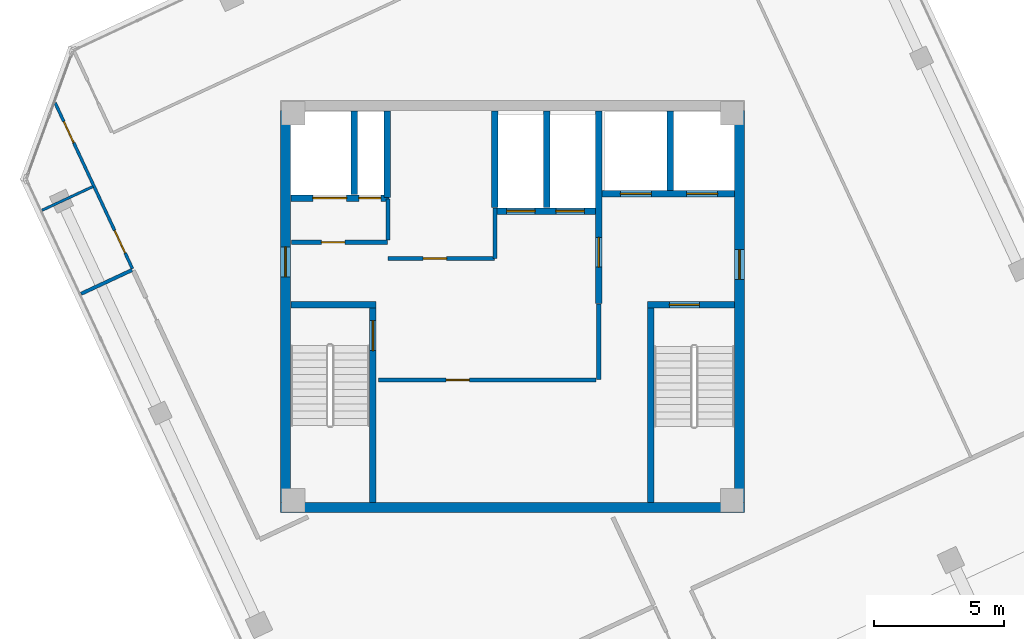
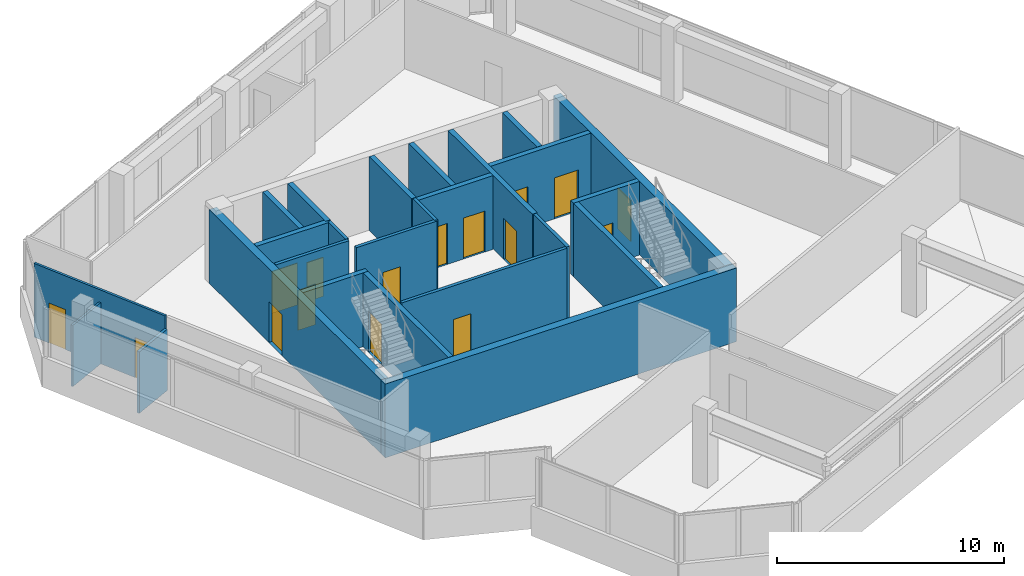
# One storey, part 13 of 17: 25 walls, 16 doors, 16 openings.
"""IFC4 building model written with IfcOpenShell, lengths in metres."""

import ifcopenshell
import ifcopenshell.guid

model = None  # the IFC model being written
_history = None  # IfcOwnerHistory: only IFC2X3 demands one
_inside = {}  # id of a spatial element -> (the spatial element, [elements in it])
_under = {}  # id of a project, library or spatial element -> (it, [spatial elements below it])
_declared = {}  # id of a project -> (the project, [libraries it declares])
_typed = {}  # id of a type object -> (the type object, [elements of that type])
_made_of = {}  # id of a material, layer set ... -> (it, [elements and type objects made of it])


def new_model(schema):
    """Start an empty IFC model of exactly this schema.

    Asked for "IFC4X3", IfcOpenShell would pick the latest addendum, in which some entities
    have other attributes; the version numbers below select the first issue.
    IFC2X3 requires an IfcOwnerHistory on every rooted entity: one is made here for all.
    """
    global model, _history
    if schema == "IFC4X3":
        model = ifcopenshell.file(schema_version=(4, 3, 0, 0))
    else:
        model = ifcopenshell.file(schema=schema)
    _inside.clear()
    _under.clear()
    _declared.clear()
    _typed.clear()
    _made_of.clear()
    _history = None
    if model.schema == "IFC2X3":
        org = make("IfcOrganization", Name="unknown")
        user = make(
            "IfcPersonAndOrganization",
            ThePerson=make("IfcPerson", FamilyName="unknown"),
            TheOrganization=org,
        )
        app = make(
            "IfcApplication",
            ApplicationDeveloper=org,
            Version="unknown",
            ApplicationFullName="unknown",
            ApplicationIdentifier="unknown",
        )
        _history = make(
            "IfcOwnerHistory",
            OwningUser=user,
            OwningApplication=app,
            ChangeAction="ADDED",
            CreationDate=0,
        )
    return model


def make(cls, **values):
    """One entity of the class cls with the attributes given. An attribute that is None is left unset."""
    return model.create_entity(
        cls, **{name: value for name, value in values.items() if value is not None}
    )


def rooted(cls, **values):
    """An entity with a GlobalId (a new one), such as an element, a storey or a relation."""
    return make(cls, GlobalId=ifcopenshell.guid.new(), OwnerHistory=_history, **values)


def si_unit(unit_type, name, prefix=None):
    """IfcSIUnit, for example si_unit("LENGTHUNIT", "METRE", prefix="MILLI")."""
    return make("IfcSIUnit", UnitType=unit_type, Prefix=prefix, Name=name)


def assignment(units):
    """IfcUnitAssignment: the units of a project."""
    return None if units is None else make("IfcUnitAssignment", Units=units)


def point(xyz):
    """IfcCartesianPoint."""
    return None if xyz is None else make("IfcCartesianPoint", Coordinates=xyz)


def direction(xyz):
    """IfcDirection."""
    return None if xyz is None else make("IfcDirection", DirectionRatios=xyz)


def frame(location, z_axis=None, x_axis=None):
    """IfcAxis2Placement3D, a coordinate frame: its origin and axes. An axis left out is left unset."""
    return make(
        "IfcAxis2Placement3D",
        Location=point(location),
        Axis=direction(z_axis),
        RefDirection=direction(x_axis),
    )


def frame_2d(location, x_axis=None):
    """IfcAxis2Placement2D, a coordinate frame in the plane: its origin and x axis."""
    return make(
        "IfcAxis2Placement2D", Location=point(location), RefDirection=direction(x_axis)
    )


def origin():
    """The frame at (0, 0, 0) with its axes left unset."""
    return frame((0.0, 0.0, 0.0))


def place(relative_to, where):
    """IfcLocalPlacement: puts the frame where relative to a parent placement (None: the world)."""
    return make(
        "IfcLocalPlacement", PlacementRelTo=relative_to, RelativePlacement=where
    )


def context(
    kind, dimensions, precision=None, world=None, true_north=None, identifier=None
):
    """IfcGeometricRepresentationContext, for example the 3D "Model" context."""
    return make(
        "IfcGeometricRepresentationContext",
        ContextIdentifier=identifier,
        ContextType=kind,
        CoordinateSpaceDimension=dimensions,
        Precision=precision,
        WorldCoordinateSystem=world,
        TrueNorth=true_north,
    )


def subcontext(parent, identifier, kind, view, scale=None):
    """IfcGeometricRepresentationSubContext, for example "Body" below "Model"."""
    return make(
        "IfcGeometricRepresentationSubContext",
        ContextIdentifier=identifier,
        ContextType=kind,
        ParentContext=parent,
        TargetScale=scale,
        TargetView=view,
    )


def project(units=None, contexts=None):
    """IfcProject with its units and contexts."""
    return rooted(
        "IfcProject",
        Name="project",
        RepresentationContexts=contexts,
        UnitsInContext=assignment(units),
    )


def spatial(cls, under=None, at=None, **own):
    """A site, building, storey or space (cls), placed at a placement, below another one or the project."""
    s = rooted(cls, ObjectPlacement=at, **own)
    if under is not None:
        _under.setdefault(under.id(), (under, []))[1].append(s)
    return s


def profile(cls, at=None, kind="AREA", **sizes):
    """A parametric profile (cls). Its sizes go by their IFC names, for example OverallWidth=200.0."""
    return make(cls, ProfileType=kind, Position=at, **sizes)


def rectangle(**sizes):
    """IfcRectangleProfileDef."""
    return profile("IfcRectangleProfileDef", **sizes)


def extrude(swept, where, along, depth):
    """IfcExtrudedAreaSolid: the profile swept, set in the frame where, extruded along a direction by depth."""
    return make(
        "IfcExtrudedAreaSolid",
        SweptArea=swept,
        Position=where,
        ExtrudedDirection=direction(along),
        Depth=depth,
    )


def shape(context_of_items, identifier, shape_type, items):
    """IfcShapeRepresentation: the items that make up one representation, for example the "Body"."""
    return make(
        "IfcShapeRepresentation",
        ContextOfItems=context_of_items,
        RepresentationIdentifier=identifier,
        RepresentationType=shape_type,
        Items=items,
    )


def source(mapping_origin, context_of_items, identifier, shape_type, items):
    """IfcRepresentationMap: a shape defined once, which mapped items show again and again."""
    return make(
        "IfcRepresentationMap",
        MappingOrigin=mapping_origin,
        MappedRepresentation=shape(context_of_items, identifier, shape_type, items),
    )


def transform(
    local_origin,
    x_axis=None,
    y_axis=None,
    z_axis=None,
    scale=None,
    scale2=None,
    scale3=None,
    uniform=True,
):
    """IfcCartesianTransformationOperator3D, or its non-uniform kind. x_axis, y_axis, z_axis: its Axis1, 2, 3."""
    if uniform:
        return make(
            "IfcCartesianTransformationOperator3D",
            Axis1=direction(x_axis),
            Axis2=direction(y_axis),
            LocalOrigin=point(local_origin),
            Scale=scale,
            Axis3=direction(z_axis),
        )
    return make(
        "IfcCartesianTransformationOperator3DnonUniform",
        Axis1=direction(x_axis),
        Axis2=direction(y_axis),
        LocalOrigin=point(local_origin),
        Scale=scale,
        Axis3=direction(z_axis),
        Scale2=scale2,
        Scale3=scale3,
    )


def mapped(mapping_source, mapping_target):
    """IfcMappedItem: shows the shape of a source again, moved by a transform."""
    return make(
        "IfcMappedItem", MappingSource=mapping_source, MappingTarget=mapping_target
    )


def material(Name=None, Category=None):
    """IfcMaterial."""
    return make("IfcMaterial", Name=Name, Category=Category)


def layer(
    of_material, thickness, ventilated=None, Name=None, Category=None, Priority=None
):
    """IfcMaterialLayer: one layer of a wall or slab, of a material (None: an air gap)."""
    return make(
        "IfcMaterialLayer",
        Material=of_material,
        LayerThickness=thickness,
        IsVentilated=ventilated,
        Name=Name,
        Category=Category,
        Priority=Priority,
    )


def layer_set(layers, Name=None):
    """IfcMaterialLayerSet."""
    return make("IfcMaterialLayerSet", MaterialLayers=layers, LayerSetName=Name)


def made_of(thing, what):
    """Note that an element or type object is made of a material, layer set ...; save() writes the relation."""
    if what is not None:
        _made_of.setdefault(what.id(), (what, []))[1].append(thing)
    return thing


def type_object(cls, material=None, **own):
    """A type object (cls), such as IfcWallType, which elements share."""
    return made_of(rooted(cls, **own), material)


def element(
    cls,
    number,
    at=None,
    inside=None,
    cuts=None,
    type_object=None,
    material=None,
    context=None,
    identifier="Body",
    shape_type=None,
    held_by="IfcProductDefinitionShape",
    body=None,
    shapes=None,
    **own,
):
    """One element of the class cls, such as IfcWall. Its Tag is "e" and its number.

    at: its placement. inside: the storey or other place that contains it. cuts: it is an
    opening in that element (IfcRelVoidsElement). A single representation is given by context,
    identifier, shape_type and body (its items); several are given by shapes. held_by: the class
    of the entity that holds the representations. save() writes the other relations.
    """
    e = rooted(cls, Tag="e%d" % number, ObjectPlacement=at, **own)
    if body is not None:
        shapes = [shape(context, identifier, shape_type, body)]
    if shapes is not None:
        e.Representation = make(held_by, Representations=shapes)
    if inside is not None:
        _inside.setdefault(inside.id(), (inside, []))[1].append(e)
    if cuts is not None:
        rooted(
            "IfcRelVoidsElement", RelatingBuildingElement=cuts, RelatedOpeningElement=e
        )
    if type_object is not None:
        _typed.setdefault(type_object.id(), (type_object, []))[1].append(e)
    return made_of(e, material)


def fill(opening, filler):
    """IfcRelFillsElement: the door or window that sits in an opening."""
    return rooted(
        "IfcRelFillsElement",
        RelatingOpeningElement=opening,
        RelatedBuildingElement=filler,
    )


def aggregate(whole, parts):
    """IfcRelAggregates: a whole, such as a stair, and the parts it consists of."""
    return rooted("IfcRelAggregates", RelatingObject=whole, RelatedObjects=parts)


def save(model, path):
    """Write the relations noted so far, then the file.

    IfcRelAggregates (storeys below a building ...), IfcRelContainedInSpatialStructure (elements
    in a storey), IfcRelDefinesByType, IfcRelAssociatesMaterial and IfcRelDeclares: one each for
    every whole, place, type object, material and project.
    """
    for whole, parts in _under.values():
        aggregate(whole, parts)
    for where, things in _inside.values():
        rooted(
            "IfcRelContainedInSpatialStructure",
            RelatedElements=things,
            RelatingStructure=where,
        )
    for kind, things in _typed.values():
        rooted("IfcRelDefinesByType", RelatedObjects=things, RelatingType=kind)
    for what, things in _made_of.values():
        rooted("IfcRelAssociatesMaterial", RelatedObjects=things, RelatingMaterial=what)
    for by, libraries in _declared.values():
        rooted("IfcRelDeclares", RelatingContext=by, RelatedDefinitions=libraries)
    model.write(path)


model = new_model("IFC4")

# Units and contexts
model_context = context("Model", 3, precision=1e-05, world=origin(), true_north=direction((0.0, 1.0)))
body_context = subcontext(model_context, "Body", "Model", "MODEL_VIEW")
ifc_project = project(units=[si_unit("LENGTHUNIT", "METRE"), si_unit("AREAUNIT", "SQUARE_METRE"), si_unit("VOLUMEUNIT", "CUBIC_METRE"), si_unit("PLANEANGLEUNIT", "RADIAN"), si_unit("MASSUNIT", "GRAM", prefix="KILO")], contexts=[model_context])

# Site, building, storey
site_placement = place(None, origin())
site = spatial("IfcSite", under=ifc_project, at=site_placement, CompositionType="ELEMENT")
building_placement = place(site_placement, origin())
building = spatial("IfcBuilding", under=site, at=building_placement, Name="Torre Montelarca", CompositionType="ELEMENT")
storey_placement = place(building_placement, frame((0.0, 0.0, 340.800048828125)))
storey = spatial("IfcBuildingStorey", under=building, at=storey_placement, Name="L77", CompositionType="ELEMENT", Elevation=340.800048828125)

# Wall, opening, door
ifc_material_1 = material(Name="Concrete C40/50", Category="concrete")
ifc_layer_1 = layer(ifc_material_1, 0.25, Name="Concrete C40/50", Category="concrete")
ifc_layer_set_1 = layer_set([ifc_layer_1], Name="Concrete C40/50")
wall_type_1 = type_object("IfcWallType", Name="CW-SHAFT-250", PredefinedType="SHEAR", material=ifc_layer_set_1)
wall_1_placement = place(storey_placement, frame((12.625, 24.4599609375, 0.0), z_axis=(0.0, 0.0, 1.0), x_axis=(0.0, 1.0, 0.0)))
wall_1 = element("IfcWall", 1, at=wall_1_placement, inside=storey, type_object=wall_type_1, Name="L77 Core Shear Wall SH-ST1-E", PredefinedType="SHEAR", context=body_context, shape_type="SweptSolid", body=[
    extrude(rectangle(XDim=7.489990234375, YDim=0.25, at=frame_2d((3.7451171875, 0.0))), origin(), (0.0, 0.0, 1.0), 3.9599609375),
])
opening_1_placement = place(wall_1_placement, frame((5.85009765625, 0.0, 0.0)))
opening_1 = element("IfcOpeningElement", 2, at=opening_1_placement, cuts=wall_1, Name="Opening FD-ST1", PredefinedType="OPENING", context=body_context, shape_type="SweptSolid", body=[
    extrude(rectangle(XDim=1.14990234375, YDim=2.199951171875, at=frame_2d((0.574951171875, 1.10009765625))), frame((0.0, 0.135009765625, 0.0), z_axis=(0.0, -1.0, 0.0), x_axis=(1.0, 0.0, 0.0)), (0.0, 0.0, 1.0), 0.27001953125),
])
ifc_material_2 = material(Name="Galvanized steel fire door", Category="steel")
door_type_1 = type_object("IfcDoorType", Name="DR-STAIR-115", OperationType="NOTDEFINED", PredefinedType="DOOR", material=ifc_material_2)
shared_shape_1 = source(origin(), body_context, "Body", "SweptSolid", [
    extrude(rectangle(XDim=1.14990234375, YDim=2.199951171875, at=frame_2d((0.574951171875, 1.10009765625))), frame((0.0, 0.02490234375, 0.0), z_axis=(0.0, -1.0, 0.0), x_axis=(1.0, 0.0, 0.0)), (0.0, 0.0, 1.0), 0.050048828125),
])
door_1_placement = place(opening_1_placement, origin())
door_1 = element("IfcDoor", 3, at=door_1_placement, inside=storey, type_object=door_type_1, Name="L77 Exit Stair ST1 Fire Door", OperationType="SINGLE_SWING_RIGHT", OverallHeight=2.199951171875, OverallWidth=1.14990234375, PredefinedType="DOOR", context=body_context, shape_type="MappedRepresentation", body=[
    mapped(shared_shape_1, transform((0.0, 0.0, 0.0), scale=1.0)),
])
fill(opening_1, door_1)

# Walls
wall_2_placement = place(storey_placement, frame((9.4599609375, 32.074951171875, 0.0), z_axis=(0.0, 0.0, 1.0), x_axis=(1.0, 0.0, 0.0)))
element("IfcWall", 4, at=wall_2_placement, inside=storey, type_object=wall_type_1, Name="L77 Core Shear Wall SH-ST1-N", PredefinedType="SHEAR", context=body_context, shape_type="SweptSolid", body=[
    extrude(rectangle(XDim=3.2900390625, YDim=0.25, at=frame_2d((1.64501953125, 0.0))), origin(), (0.0, 0.0, 1.0), 3.9599609375),
])
wall_3_placement = place(storey_placement, frame((23.31494140625, 24.4599609375, 0.0), z_axis=(0.0, 0.0, 1.0), x_axis=(0.0, 1.0, 0.0)))
element("IfcWall", 5, at=wall_3_placement, inside=storey, type_object=wall_type_1, Name="L77 Core Shear Wall SH-ST2-W", PredefinedType="SHEAR", context=body_context, shape_type="SweptSolid", body=[
    extrude(rectangle(XDim=7.489990234375, YDim=0.25, at=frame_2d((3.7451171875, 0.0))), origin(), (0.0, 0.0, 1.0), 3.9599609375),
])

# Wall, opening, door
wall_4_placement = place(storey_placement, frame((23.18994140625, 32.074951171875, 0.0), z_axis=(0.0, 0.0, 1.0), x_axis=(1.0, 0.0, 0.0)))
wall_4 = element("IfcWall", 6, at=wall_4_placement, inside=storey, type_object=wall_type_1, Name="L77 Core Shear Wall SH-ST2-N", PredefinedType="SHEAR", context=body_context, shape_type="SweptSolid", body=[
    extrude(rectangle(XDim=3.35009765625, YDim=0.25, at=frame_2d((1.675048828125, 0.0))), origin(), (0.0, 0.0, 1.0), 3.9599609375),
])
opening_2_placement = place(wall_4_placement, frame((0.85009765625, 0.0, 0.0)))
opening_2 = element("IfcOpeningElement", 7, at=opening_2_placement, cuts=wall_4, Name="Opening FD-ST1", PredefinedType="OPENING", context=body_context, shape_type="SweptSolid", body=[
    extrude(rectangle(XDim=1.14990234375, YDim=2.199951171875, at=frame_2d((0.574951171875, 1.10009765625))), frame((0.0, 0.135009765625, 0.0), z_axis=(0.0, -1.0, 0.0), x_axis=(1.0, 0.0, 0.0)), (0.0, 0.0, 1.0), 0.27001953125),
])
door_2_placement = place(opening_2_placement, origin())
door_2 = element("IfcDoor", 8, at=door_2_placement, inside=storey, type_object=door_type_1, Name="L77 Exit Stair ST2 Fire Door", OperationType="SINGLE_SWING_RIGHT", OverallHeight=2.199951171875, OverallWidth=1.14990234375, PredefinedType="DOOR", context=body_context, shape_type="MappedRepresentation", body=[
    mapped(shared_shape_1, transform((0.0, 0.0, 0.0), scale=1.0)),
])
fill(opening_2, door_2)

wall_5_placement = place(storey_placement, frame((21.320068359375, 32.1201171875, 0.0), z_axis=(0.0, 0.0, 1.0), x_axis=(0.0, 1.0, 0.0)))
wall_5 = element("IfcWall", 9, at=wall_5_placement, inside=storey, type_object=wall_type_1, Name="L77 Core Shear Wall SH-FFL-W", PredefinedType="SHEAR", context=body_context, shape_type="SweptSolid", body=[
    extrude(rectangle(XDim=7.419921875, YDim=0.25, at=frame_2d((3.7099609375, 0.0))), origin(), (0.0, 0.0, 1.0), 3.9599609375),
])
opening_3_placement = place(wall_5_placement, frame((1.39990234375, 0.0, 0.0)))
opening_3 = element("IfcOpeningElement", 10, at=opening_3_placement, cuts=wall_5, Name="Opening FD-LB1", PredefinedType="OPENING", context=body_context, shape_type="SweptSolid", body=[
    extrude(rectangle(XDim=1.14990234375, YDim=2.199951171875, at=frame_2d((0.574951171875, 1.10009765625))), frame((0.0, 0.135009765625, 0.0), z_axis=(0.0, -1.0, 0.0), x_axis=(1.0, 0.0, 0.0)), (0.0, 0.0, 1.0), 0.27001953125),
])
ifc_material_3 = material(Name="Acoustic timber-veneered fire door", Category="wood")
door_type_2 = type_object("IfcDoorType", Name="DR-LOBBY-115", OperationType="NOTDEFINED", PredefinedType="DOOR", material=ifc_material_3)
shared_shape_2 = source(origin(), body_context, "Body", "SweptSolid", [
    extrude(rectangle(XDim=1.14990234375, YDim=2.199951171875, at=frame_2d((0.574951171875, 1.10009765625))), frame((0.0, 0.02490234375, 0.0), z_axis=(0.0, -1.0, 0.0), x_axis=(1.0, 0.0, 0.0)), (0.0, 0.0, 1.0), 0.050048828125),
])
door_3_placement = place(opening_3_placement, origin())
door_3 = element("IfcDoor", 11, at=door_3_placement, inside=storey, type_object=door_type_2, Name="L77 Lift Lobby to Firefighting Lobby Smoke Door", OperationType="SINGLE_SWING_LEFT", OverallHeight=2.199951171875, OverallWidth=1.14990234375, PredefinedType="DOOR", context=body_context, shape_type="MappedRepresentation", body=[
    mapped(shared_shape_2, transform((0.0, 0.0, 0.0), scale=1.0)),
])
fill(opening_3, door_3)

# Wall, openings, doors
wall_6_placement = place(storey_placement, frame((9.4599609375, 36.179931640625, 0.0), z_axis=(0.0, 0.0, 1.0), x_axis=(1.0, 0.0, 0.0)))
wall_6 = element("IfcWall", 12, at=wall_6_placement, inside=storey, type_object=wall_type_1, Name="L77 Core Shear Wall SH-SV1-S", PredefinedType="SHEAR", context=body_context, shape_type="SweptSolid", body=[
    extrude(rectangle(XDim=3.7900390625, YDim=0.25, at=frame_2d((1.89501953125, 0.0))), origin(), (0.0, 0.0, 1.0), 3.9599609375),
])
opening_4_placement = place(wall_6_placement, frame((2.6201171875, 0.0, 0.0)))
opening_4 = element("IfcOpeningElement", 13, at=opening_4_placement, cuts=wall_6, Name="Opening FD-085", PredefinedType="OPENING", context=body_context, shape_type="SweptSolid", body=[
    extrude(rectangle(XDim=0.85009765625, YDim=2.10009765625, at=frame_2d((0.425048828125, 1.050048828125))), frame((0.0, 0.135009765625, 0.0), z_axis=(0.0, -1.0, 0.0), x_axis=(1.0, 0.0, 0.0)), (0.0, 0.0, 1.0), 0.27001953125),
])
opening_5_placement = place(wall_6_placement, frame((0.85009765625, 0.0, 0.0)))
opening_5 = element("IfcOpeningElement", 14, at=opening_5_placement, cuts=wall_6, Name="Opening LD-130", PredefinedType="OPENING", context=body_context, shape_type="SweptSolid", body=[
    extrude(rectangle(XDim=1.300048828125, YDim=2.25, at=frame_2d((0.64990234375, 1.125))), frame((0.0, 0.135009765625, 0.0), z_axis=(0.0, -1.0, 0.0), x_axis=(1.0, 0.0, 0.0)), (0.0, 0.0, 1.0), 0.27001953125),
])
ifc_material_4 = material(Name="Steel riser access fire door", Category="steel")
door_type_3 = type_object("IfcDoorType", Name="DR-RISER-085", OperationType="NOTDEFINED", PredefinedType="DOOR", material=ifc_material_4)
shared_shape_3 = source(origin(), body_context, "Body", "SweptSolid", [
    extrude(rectangle(XDim=0.85009765625, YDim=2.10009765625, at=frame_2d((0.425048828125, 1.050048828125))), frame((0.0, 0.02490234375, 0.0), z_axis=(0.0, -1.0, 0.0), x_axis=(1.0, 0.0, 0.0)), (0.0, 0.0, 1.0), 0.050048828125),
])
door_4_placement = place(opening_4_placement, origin())
door_4 = element("IfcDoor", 15, at=door_4_placement, inside=storey, type_object=door_type_3, Name="L77 Electrical Riser Shaft Access Door", OperationType="SINGLE_SWING_RIGHT", OverallHeight=2.10009765625, OverallWidth=0.85009765625, PredefinedType="DOOR", context=body_context, shape_type="MappedRepresentation", body=[
    mapped(shared_shape_3, transform((0.0, 0.0, 0.0), scale=1.0)),
])
fill(opening_4, door_4)
ifc_material_5 = material(Name="Brushed stainless steel AISI 316", Category="steel")
door_type_4 = type_object("IfcDoorType", Name="DR-LIFT-130", OperationType="SLIDING_TO_LEFT", PredefinedType="DOOR", material=ifc_material_5)
shared_shape_4 = source(origin(), body_context, "Body", "SweptSolid", [
    extrude(rectangle(XDim=1.300048828125, YDim=2.25, at=frame_2d((0.64990234375, 1.125))), frame((0.0, 0.02490234375, 0.0), z_axis=(0.0, -1.0, 0.0), x_axis=(1.0, 0.0, 0.0)), (0.0, 0.0, 1.0), 0.050048828125),
])
door_5_placement = place(opening_5_placement, origin())
door_5 = element("IfcDoor", 16, at=door_5_placement, inside=storey, type_object=door_type_4, Name="L77 Lift Landing Sliding Door SV-1", OperationType="SLIDING_TO_LEFT", OverallHeight=2.25, OverallWidth=1.300048828125, PredefinedType="DOOR", context=body_context, shape_type="MappedRepresentation", body=[
    mapped(shared_shape_4, transform((0.0, 0.0, 0.0), scale=1.0)),
])
fill(opening_5, door_5)

# Wall
wall_7_placement = place(storey_placement, frame((11.89990234375, 36.31005859375, 0.0), z_axis=(0.0, 0.0, 1.0), x_axis=(0.0, 1.0, 0.0)))
element("IfcWall", 17, at=wall_7_placement, inside=storey, type_object=wall_type_1, Name="L77 Core Shear Wall SH-SV1-E", PredefinedType="SHEAR", context=body_context, shape_type="SweptSolid", body=[
    extrude(rectangle(XDim=3.22998046875, YDim=0.25, at=frame_2d((1.614990234375, 0.0))), origin(), (0.0, 0.0, 1.0), 3.9599609375),
])

# Wall, openings, doors
wall_8_placement = place(storey_placement, frame((21.449951171875, 36.35009765625, 0.0), z_axis=(0.0, 0.0, 1.0), x_axis=(1.0, 0.0, 0.0)))
wall_8 = element("IfcWall", 18, at=wall_8_placement, inside=storey, type_object=wall_type_1, Name="L77 Core Shear Wall SH-FF-S", PredefinedType="SHEAR", context=body_context, shape_type="SweptSolid", body=[
    extrude(rectangle(XDim=5.090087890625, YDim=0.25, at=frame_2d((2.544921875, 0.0))), origin(), (0.0, 0.0, 1.0), 3.9599609375),
])
opening_6_placement = place(wall_8_placement, frame((0.699951171875, 0.0, 0.0)))
opening_6 = element("IfcOpeningElement", 19, at=opening_6_placement, cuts=wall_8, Name="Opening LD-120", PredefinedType="OPENING", context=body_context, shape_type="SweptSolid", body=[
    extrude(rectangle(XDim=1.199951171875, YDim=2.199951171875, at=frame_2d((0.60009765625, 1.10009765625))), frame((0.0, 0.135009765625, 0.0), z_axis=(0.0, -1.0, 0.0), x_axis=(1.0, 0.0, 0.0)), (0.0, 0.0, 1.0), 0.27001953125),
])
opening_7_placement = place(wall_8_placement, frame((3.25, 0.0, 0.0)))
opening_7 = element("IfcOpeningElement", 20, at=opening_7_placement, cuts=wall_8, Name="Opening LD-120", PredefinedType="OPENING", context=body_context, shape_type="SweptSolid", body=[
    extrude(rectangle(XDim=1.199951171875, YDim=2.199951171875, at=frame_2d((0.60009765625, 1.10009765625))), frame((0.0, 0.135009765625, 0.0), z_axis=(0.0, -1.0, 0.0), x_axis=(1.0, 0.0, 0.0)), (0.0, 0.0, 1.0), 0.27001953125),
])
door_type_5 = type_object("IfcDoorType", Name="DR-LIFT-120", OperationType="SLIDING_TO_RIGHT", PredefinedType="DOOR", material=ifc_material_5)
shared_shape_5 = source(origin(), body_context, "Body", "SweptSolid", [
    extrude(rectangle(XDim=1.199951171875, YDim=2.199951171875, at=frame_2d((0.60009765625, 1.10009765625))), frame((0.0, 0.02490234375, 0.0), z_axis=(0.0, -1.0, 0.0), x_axis=(1.0, 0.0, 0.0)), (0.0, 0.0, 1.0), 0.050048828125),
])
door_6_placement = place(opening_6_placement, origin())
door_6 = element("IfcDoor", 21, at=door_6_placement, inside=storey, type_object=door_type_5, Name="L77 Lift Landing Sliding Door FF-1", OperationType="SLIDING_TO_LEFT", OverallHeight=2.199951171875, OverallWidth=1.199951171875, PredefinedType="DOOR", context=body_context, shape_type="MappedRepresentation", body=[
    mapped(shared_shape_5, transform((0.0, 0.0, 0.0), scale=1.0)),
])
fill(opening_6, door_6)
door_7_placement = place(opening_7_placement, origin())
door_7 = element("IfcDoor", 22, at=door_7_placement, inside=storey, type_object=door_type_5, Name="L77 Lift Landing Sliding Door FF-2", OperationType="SLIDING_TO_RIGHT", OverallHeight=2.199951171875, OverallWidth=1.199951171875, PredefinedType="DOOR", context=body_context, shape_type="MappedRepresentation", body=[
    mapped(shared_shape_5, transform((0.0, 0.0, 0.0), scale=1.0)),
])
fill(opening_7, door_7)

# Walls
wall_9_placement = place(storey_placement, frame((24.080078125, 36.47998046875, 0.0), z_axis=(0.0, 0.0, 1.0), x_axis=(0.0, 1.0, 0.0)))
element("IfcWall", 23, at=wall_9_placement, inside=storey, type_object=wall_type_1, Name="L77 Core Shear Wall SH-FF-M", PredefinedType="SHEAR", context=body_context, shape_type="SweptSolid", body=[
    extrude(rectangle(XDim=3.06005859375, YDim=0.25, at=frame_2d((1.530029296875, 0.0))), origin(), (0.0, 0.0, 1.0), 3.9599609375),
])
wall_10_placement = place(storey_placement, frame((13.179931640625, 36.199951171875, 0.0), z_axis=(0.0, 0.0, 1.0), x_axis=(0.0, 1.0, 0.0)))
element("IfcWall", 24, at=wall_10_placement, inside=storey, type_object=wall_type_1, Name="L77 Core Shear Wall SH-RSR1-E", PredefinedType="SHEAR", context=body_context, shape_type="SweptSolid", body=[
    extrude(rectangle(XDim=3.340087890625, YDim=0.25, at=frame_2d((1.669921875, 0.0))), origin(), (0.0, 0.0, 1.0), 3.9599609375),
])

# Wall, openings, doors
wall_11_placement = place(storey_placement, frame((17.320068359375, 35.679931640625, 0.0), z_axis=(0.0, 0.0, 1.0), x_axis=(1.0, 0.0, 0.0)))
wall_11 = element("IfcWall", 25, at=wall_11_placement, inside=storey, type_object=wall_type_1, Name="L77 Core Shear Wall SH-PLH-S", PredefinedType="SHEAR", context=body_context, shape_type="SweptSolid", body=[
    extrude(rectangle(XDim=3.869873046875, YDim=0.25, at=frame_2d((1.93505859375, 0.0))), origin(), (0.0, 0.0, 1.0), 3.9599609375),
])
opening_8_placement = place(wall_11_placement, frame((0.449951171875, 0.0, 0.0)))
opening_8 = element("IfcOpeningElement", 26, at=opening_8_placement, cuts=wall_11, Name="Opening LD-110", PredefinedType="OPENING", context=body_context, shape_type="SweptSolid", body=[
    extrude(rectangle(XDim=1.10009765625, YDim=2.199951171875, at=frame_2d((0.550048828125, 1.10009765625))), frame((0.0, 0.135009765625, 0.0), z_axis=(0.0, -1.0, 0.0), x_axis=(1.0, 0.0, 0.0)), (0.0, 0.0, 1.0), 0.27001953125),
])
opening_9_placement = place(wall_11_placement, frame((2.35009765625, 0.0, 0.0)))
opening_9 = element("IfcOpeningElement", 27, at=opening_9_placement, cuts=wall_11, Name="Opening LD-110", PredefinedType="OPENING", context=body_context, shape_type="SweptSolid", body=[
    extrude(rectangle(XDim=1.10009765625, YDim=2.199951171875, at=frame_2d((0.550048828125, 1.10009765625))), frame((0.0, 0.135009765625, 0.0), z_axis=(0.0, -1.0, 0.0), x_axis=(1.0, 0.0, 0.0)), (0.0, 0.0, 1.0), 0.27001953125),
])
door_type_6 = type_object("IfcDoorType", Name="DR-LIFT-110", OperationType="SLIDING_TO_LEFT", PredefinedType="DOOR", material=ifc_material_5)
shared_shape_6 = source(origin(), body_context, "Body", "SweptSolid", [
    extrude(rectangle(XDim=1.10009765625, YDim=2.199951171875, at=frame_2d((0.550048828125, 1.10009765625))), frame((0.0, 0.02490234375, 0.0), z_axis=(0.0, -1.0, 0.0), x_axis=(1.0, 0.0, 0.0)), (0.0, 0.0, 1.0), 0.050048828125),
])
door_8_placement = place(opening_8_placement, origin())
door_8 = element("IfcDoor", 28, at=door_8_placement, inside=storey, type_object=door_type_6, Name="L77 Lift Landing Sliding Door PL-H1", OperationType="SLIDING_TO_LEFT", OverallHeight=2.199951171875, OverallWidth=1.10009765625, PredefinedType="DOOR", context=body_context, shape_type="MappedRepresentation", body=[
    mapped(shared_shape_6, transform((0.0, 0.0, 0.0), scale=1.0)),
])
fill(opening_8, door_8)
door_9_placement = place(opening_9_placement, origin())
door_9 = element("IfcDoor", 29, at=door_9_placement, inside=storey, type_object=door_type_6, Name="L77 Lift Landing Sliding Door PL-H2", OperationType="SLIDING_TO_RIGHT", OverallHeight=2.199951171875, OverallWidth=1.10009765625, PredefinedType="DOOR", context=body_context, shape_type="MappedRepresentation", body=[
    mapped(shared_shape_6, transform((0.0, 0.0, 0.0), scale=1.0)),
])
fill(opening_9, door_9)

# Walls
for number, where, z_axis, x_axis, name in (
    (30, (17.320068359375, 35.81005859375, 0.0), (0.0, 0.0, 1.0), (0.0, 1.0, 0.0), "L77 Core Shear Wall SH-PLH-W"),
    (31, (19.320068359375, 35.81005859375, 0.0), (0.0, 0.0, 1.0), (0.0, 1.0, 0.0), "L77 Core Shear Wall SH-PLH-M"),
):
    element("IfcWall", number, at=place(storey_placement, frame(where, z_axis=z_axis, x_axis=x_axis)), inside=storey, type_object=wall_type_1, Name=name, PredefinedType="SHEAR", context=body_context, shape_type="SweptSolid", body=[
        extrude(rectangle(XDim=3.72998046875, YDim=0.25, at=frame_2d((1.864990234375, 0.0))), origin(), (0.0, 0.0, 1.0), 3.9599609375),
    ])

# Wall, opening, door
ifc_layer_2 = layer(ifc_material_1, 0.3798828125, Name="Concrete C40/50", Category="concrete")
ifc_layer_set_2 = layer_set([ifc_layer_2], Name="Concrete C40/50")
wall_type_2 = type_object("IfcWallType", Name="CW-SHEAR-380", PredefinedType="SHEAR", material=ifc_layer_set_2)
wall_12_placement = place(storey_placement, frame((9.260009765625, 24.449951171875, 0.0), z_axis=(0.0, 0.0, 1.0), x_axis=(0.0, 1.0, 0.0)))
wall_12 = element("IfcWall", 32, at=wall_12_placement, inside=storey, type_object=wall_type_2, Name="L77 Core Shear Wall CW-W", PredefinedType="SHEAR", context=body_context, shape_type="SweptSolid", body=[
    extrude(rectangle(XDim=15.10009765625, YDim=0.3798828125, at=frame_2d((7.550048828125, 0.0))), origin(), (0.0, 0.0, 1.0), 3.9599609375),
])
opening_10_placement = place(wall_12_placement, frame((8.699951171875, 0.0, 0.0)))
opening_10 = element("IfcOpeningElement", 33, at=opening_10_placement, cuts=wall_12, Name="Opening FD-LB1", PredefinedType="OPENING", context=body_context, shape_type="SweptSolid", body=[
    extrude(rectangle(XDim=1.14990234375, YDim=2.199951171875, at=frame_2d((0.574951171875, 1.10009765625))), frame((0.0, 0.199951171875, 0.0), z_axis=(0.0, -1.0, 0.0), x_axis=(1.0, 0.0, 0.0)), (0.0, 0.0, 1.0), 0.39990234375),
])
door_10_placement = place(opening_10_placement, origin())
door_10 = element("IfcDoor", 34, at=door_10_placement, inside=storey, type_object=door_type_2, Name="L77 Passenger Lift Lobby West Corridor Fire Door", OperationType="SINGLE_SWING_RIGHT", OverallHeight=2.199951171875, OverallWidth=1.14990234375, PredefinedType="DOOR", context=body_context, shape_type="MappedRepresentation", body=[
    mapped(shared_shape_2, transform((0.0, 0.0, 0.0), scale=1.0)),
])
fill(opening_10, door_10)

wall_13_placement = place(storey_placement, frame((26.739990234375, 24.449951171875, 0.0), z_axis=(0.0, 0.0, 1.0), x_axis=(0.0, 1.0, 0.0)))
wall_13 = element("IfcWall", 35, at=wall_13_placement, inside=storey, type_object=wall_type_2, Name="L77 Core Shear Wall CW-E", PredefinedType="SHEAR", context=body_context, shape_type="SweptSolid", body=[
    extrude(rectangle(XDim=15.10009765625, YDim=0.3798828125, at=frame_2d((7.550048828125, 0.0))), origin(), (0.0, 0.0, 1.0), 3.9599609375),
])
opening_11_placement = place(wall_13_placement, frame((8.60009765625, 0.0, 0.0)))
opening_11 = element("IfcOpeningElement", 36, at=opening_11_placement, cuts=wall_13, Name="Opening FD-LB1", PredefinedType="OPENING", context=body_context, shape_type="SweptSolid", body=[
    extrude(rectangle(XDim=1.14990234375, YDim=2.199951171875, at=frame_2d((0.574951171875, 1.10009765625))), frame((0.0, 0.199951171875, 0.0), z_axis=(0.0, -1.0, 0.0), x_axis=(1.0, 0.0, 0.0)), (0.0, 0.0, 1.0), 0.39990234375),
])
door_11_placement = place(opening_11_placement, origin())
door_11 = element("IfcDoor", 37, at=door_11_placement, inside=storey, type_object=door_type_2, Name="L77 Firefighting Lift Lobby Corridor Fire Door", OperationType="SINGLE_SWING_RIGHT", OverallHeight=2.199951171875, OverallWidth=1.14990234375, PredefinedType="DOOR", context=body_context, shape_type="MappedRepresentation", body=[
    mapped(shared_shape_2, transform((0.0, 0.0, 0.0), scale=1.0)),
])
fill(opening_11, door_11)

# Wall
wall_14_placement = place(storey_placement, frame((9.070068359375, 24.260009765625, 0.0), z_axis=(0.0, 0.0, 1.0), x_axis=(1.0, 0.0, 0.0)))
element("IfcWall", 38, at=wall_14_placement, inside=storey, type_object=wall_type_2, Name="L77 Core Shear Wall CW-S1", PredefinedType="SHEAR", context=body_context, shape_type="SweptSolid", body=[
    extrude(rectangle(XDim=17.85986328125, YDim=0.3798828125, at=frame_2d((8.929931640625, 0.0))), origin(), (0.0, 0.0, 1.0), 3.9599609375),
])

# Wall, opening, door
ifc_material_6 = material(Name="Gypsum plasterboard on steel stud", Category="steel")
ifc_layer_3 = layer(ifc_material_6, 0.159912109375, Name="Gypsum plasterboard on steel stud", Category="steel")
ifc_layer_set_3 = layer_set([ifc_layer_3], Name="Gypsum plasterboard on steel stud")
wall_type_3 = type_object("IfcWallType", Name="PW-FIRE-160", PredefinedType="PARTITIONING", material=ifc_layer_set_3)
wall_15_placement = place(storey_placement, frame((9.489990234375, 34.47998046875, 0.0), z_axis=(0.0, 0.0, 1.0), x_axis=(1.0, 0.0, 0.0)))
wall_15 = element("IfcWall", 39, at=wall_15_placement, inside=storey, type_object=wall_type_3, Name="L77 Interior Partition CW-L77-SVS", PredefinedType="PARTITIONING", context=body_context, shape_type="SweptSolid", body=[
    extrude(rectangle(XDim=3.699951171875, YDim=0.159912109375, at=frame_2d((1.85009765625, 0.0))), origin(), (0.0, 0.0, 1.0), 3.9599609375),
])
opening_12_placement = place(wall_15_placement, frame((1.14990234375, 0.0, 0.0)))
opening_12 = element("IfcOpeningElement", 40, at=opening_12_placement, cuts=wall_15, Name="Opening FD-090", PredefinedType="OPENING", context=body_context, shape_type="SweptSolid", body=[
    extrude(rectangle(XDim=0.89990234375, YDim=2.14990234375, at=frame_2d((0.449951171875, 1.074951171875))), frame((0.0, 0.08984375, 0.0), z_axis=(0.0, -1.0, 0.0), x_axis=(1.0, 0.0, 0.0)), (0.0, 0.0, 1.0), 0.179931640625),
])
ifc_material_7 = material(Name="Steel service fire door", Category="steel")
door_type_7 = type_object("IfcDoorType", Name="DR-FIRE-090", OperationType="NOTDEFINED", PredefinedType="DOOR", material=ifc_material_7)
shared_shape_7 = source(origin(), body_context, "Body", "SweptSolid", [
    extrude(rectangle(XDim=0.89990234375, YDim=2.14990234375, at=frame_2d((0.449951171875, 1.074951171875))), frame((0.0, 0.02490234375, 0.0), z_axis=(0.0, -1.0, 0.0), x_axis=(1.0, 0.0, 0.0)), (0.0, 0.0, 1.0), 0.050048828125),
])
door_12_placement = place(opening_12_placement, origin())
door_12 = element("IfcDoor", 41, at=door_12_placement, inside=storey, type_object=door_type_7, Name="L77 Interior Door 01", OperationType="SINGLE_SWING_RIGHT", OverallHeight=2.14990234375, OverallWidth=0.89990234375, PredefinedType="DOOR", context=body_context, shape_type="MappedRepresentation", body=[
    mapped(shared_shape_7, transform((0.0, 0.0, 0.0), scale=1.0)),
])
fill(opening_12, door_12)

# Wall
wall_16_placement = place(storey_placement, frame((13.199951171875, 34.570068359375, 0.0), z_axis=(0.0, 0.0, 1.0), x_axis=(0.0, 1.0, 0.0)))
element("IfcWall", 42, at=wall_16_placement, inside=storey, type_object=wall_type_3, Name="L77 Interior Partition CW-L77-SVE", PredefinedType="PARTITIONING", context=body_context, shape_type="SweptSolid", body=[
    extrude(rectangle(XDim=1.56982421875, YDim=0.159912109375, at=frame_2d((0.784912109375, 0.0))), origin(), (0.0, 0.0, 1.0), 3.9599609375),
])

# Wall, opening, door
wall_17_placement = place(storey_placement, frame((13.2099609375, 33.85009765625, 0.0), z_axis=(0.0, 0.0, 1.0), x_axis=(1.0, 0.0, 0.0)))
wall_17 = element("IfcWall", 43, at=wall_17_placement, inside=storey, type_object=wall_type_3, Name="L77 Interior Partition CW-L77-FRMS", PredefinedType="PARTITIONING", context=body_context, shape_type="SweptSolid", body=[
    extrude(rectangle(XDim=4.10009765625, YDim=0.159912109375, at=frame_2d((2.050048828125, 0.0))), origin(), (0.0, 0.0, 1.0), 3.9599609375),
])
opening_13_placement = place(wall_17_placement, frame((1.35009765625, 0.0, 0.0)))
opening_13 = element("IfcOpeningElement", 44, at=opening_13_placement, cuts=wall_17, Name="Opening FD-090", PredefinedType="OPENING", context=body_context, shape_type="SweptSolid", body=[
    extrude(rectangle(XDim=0.89990234375, YDim=2.14990234375, at=frame_2d((0.449951171875, 1.074951171875))), frame((0.0, 0.08984375, 0.0), z_axis=(0.0, -1.0, 0.0), x_axis=(1.0, 0.0, 0.0)), (0.0, 0.0, 1.0), 0.179931640625),
])
door_13_placement = place(opening_13_placement, origin())
door_13 = element("IfcDoor", 45, at=door_13_placement, inside=storey, type_object=door_type_7, Name="L77 Interior Door 02", OperationType="SINGLE_SWING_LEFT", OverallHeight=2.14990234375, OverallWidth=0.89990234375, PredefinedType="DOOR", context=body_context, shape_type="MappedRepresentation", body=[
    mapped(shared_shape_7, transform((0.0, 0.0, 0.0), scale=1.0)),
])
fill(opening_13, door_13)

# Wall
wall_18_placement = place(storey_placement, frame((17.320068359375, 33.860107421875, 0.0), z_axis=(0.0, 0.0, 1.0), x_axis=(0.0, 1.0, 0.0)))
element("IfcWall", 46, at=wall_18_placement, inside=storey, type_object=wall_type_3, Name="L77 Interior Partition CW-L77-FRME", PredefinedType="PARTITIONING", context=body_context, shape_type="SweptSolid", body=[
    extrude(rectangle(XDim=1.929931640625, YDim=0.159912109375, at=frame_2d((0.96484375, 0.0))), origin(), (0.0, 0.0, 1.0), 3.9599609375),
])

# Wall, opening, door
wall_19_placement = place(storey_placement, frame((12.840087890625, 29.179931640625, 0.0), z_axis=(0.0, 0.0, 1.0), x_axis=(1.0, 0.0, 0.0)))
wall_19 = element("IfcWall", 47, at=wall_19_placement, inside=storey, type_object=wall_type_3, Name="L77 Interior Partition CW-L77-FRDN", PredefinedType="PARTITIONING", context=body_context, shape_type="SweptSolid", body=[
    extrude(rectangle(XDim=8.369873046875, YDim=0.159912109375, at=frame_2d((4.18505859375, 0.0))), origin(), (0.0, 0.0, 1.0), 3.9599609375),
])
opening_14_placement = place(wall_19_placement, frame((2.60009765625, 0.0, 0.0)))
opening_14 = element("IfcOpeningElement", 48, at=opening_14_placement, cuts=wall_19, Name="Opening FD-090", PredefinedType="OPENING", context=body_context, shape_type="SweptSolid", body=[
    extrude(rectangle(XDim=0.89990234375, YDim=2.14990234375, at=frame_2d((0.449951171875, 1.074951171875))), frame((0.0, 0.08984375, 0.0), z_axis=(0.0, -1.0, 0.0), x_axis=(1.0, 0.0, 0.0)), (0.0, 0.0, 1.0), 0.179931640625),
])
door_14_placement = place(opening_14_placement, origin())
door_14 = element("IfcDoor", 49, at=door_14_placement, inside=storey, type_object=door_type_7, Name="L77 Interior Door 03", OperationType="SINGLE_SWING_LEFT", OverallHeight=2.14990234375, OverallWidth=0.89990234375, PredefinedType="DOOR", context=body_context, shape_type="MappedRepresentation", body=[
    mapped(shared_shape_7, transform((0.0, 0.0, 0.0), scale=1.0)),
])
fill(opening_14, door_14)

# Walls
wall_20_placement = place(storey_placement, frame((21.320068359375, 29.18994140625, 0.0), z_axis=(0.0, 0.0, 1.0), x_axis=(0.0, 1.0, 0.0)))
element("IfcWall", 50, at=wall_20_placement, inside=storey, type_object=wall_type_3, Name="L77 Interior Partition CW-L77-FRE", PredefinedType="PARTITIONING", context=body_context, shape_type="SweptSolid", body=[
    extrude(rectangle(XDim=2.920166015625, YDim=0.159912109375, at=frame_2d((1.4599609375, 0.0))), origin(), (0.0, 0.0, 1.0), 3.9599609375),
])
ifc_material_8 = material(Name="Acoustic laminated glass partition", Category="glass")
ifc_layer_4 = layer(ifc_material_8, 0.10009765625, Name="Acoustic laminated glass partition", Category="glass")
ifc_layer_set_4 = layer_set([ifc_layer_4], Name="Acoustic laminated glass partition")
wall_type_4 = type_object("IfcWallType", Name="PW-GLAZ-100", PredefinedType="PARTITIONING", material=ifc_layer_set_4)
wall_21_placement = place(storey_placement, frame((-0.1142578125, 35.71337890625, 0.0), z_axis=(0.0, 0.0, 1.0), x_axis=(0.906301500739, 0.422631742487, 0.0)))
element("IfcWall", 51, at=wall_21_placement, inside=storey, type_object=wall_type_4, Name="L77 Interior Partition W-L77-WCD", PredefinedType="PARTITIONING", context=body_context, shape_type="SweptSolid", body=[
    extrude(rectangle(XDim=2.159912109375, YDim=0.10009765625, at=frame_2d((1.080078125, 0.0))), origin(), (0.0, 0.0, 1.0), 3.294921875),
])

# Wall, openings, doors
ifc_layer_5 = layer(ifc_material_6, 0.114990234375, Name="Gypsum plasterboard on steel stud", Category="steel")
ifc_layer_set_5 = layer_set([ifc_layer_5], Name="Gypsum plasterboard on steel stud")
wall_type_5 = type_object("IfcWallType", Name="PW-PART-115", PredefinedType="PARTITIONING", material=ifc_layer_set_5)
wall_22_placement = place(storey_placement, frame((0.382568359375, 39.85302734375, 0.0), z_axis=(0.0, 0.0, 1.0), x_axis=(0.422618208415, -0.906307811903, 0.0)))
wall_22 = element("IfcWall", 52, at=wall_22_placement, inside=storey, type_object=wall_type_5, Name="L77 Interior Partition W-L77-WCN", PredefinedType="PARTITIONING", context=body_context, shape_type="SweptSolid", body=[
    extrude(rectangle(XDim=7.0517578125, YDim=0.114990234375, at=frame_2d((3.52587890625, 0.0))), origin(), (0.0, 0.0, 1.0), 3.9599609375),
])
opening_15_placement = place(wall_22_placement, frame((0.800048828125, 0.0, 0.0)))
opening_15 = element("IfcOpeningElement", 53, at=opening_15_placement, cuts=wall_22, Name="Opening ID-090", PredefinedType="OPENING", context=body_context, shape_type="SweptSolid", body=[
    extrude(rectangle(XDim=0.89990234375, YDim=2.14990234375, at=frame_2d((0.449951171875, 1.074951171875))), frame((0.0, 0.0673828125, 0.0), z_axis=(0.0, -1.0, 0.0), x_axis=(1.0, 0.0, 0.0)), (0.0, 0.0, 1.0), 0.135009765625),
])
opening_16_placement = place(wall_22_placement, frame((5.429931640625, 0.0, 0.0)))
opening_16 = element("IfcOpeningElement", 54, at=opening_16_placement, cuts=wall_22, Name="Opening ID-095", PredefinedType="OPENING", context=body_context, shape_type="SweptSolid", body=[
    extrude(rectangle(XDim=0.949951171875, YDim=2.14990234375, at=frame_2d((0.47509765625, 1.074951171875))), frame((0.0, 0.0673828125, 0.0), z_axis=(0.0, -1.0, 0.0), x_axis=(1.0, 0.0, 0.0)), (0.0, 0.0, 1.0), 0.135009765625),
])
ifc_material_9 = material(Name="Hardwood acoustic timber veneer", Category="wood")
door_type_8 = type_object("IfcDoorType", Name="DR-INT-090", OperationType="NOTDEFINED", PredefinedType="DOOR", material=ifc_material_9)
shared_shape_8 = source(origin(), body_context, "Body", "SweptSolid", [
    extrude(rectangle(XDim=0.89990234375, YDim=2.14990234375, at=frame_2d((0.449951171875, 1.074951171875))), frame((0.0, 0.02490234375, 0.0), z_axis=(0.0, -1.0, 0.0), x_axis=(1.0, 0.0, 0.0)), (0.0, 0.0, 1.0), 0.050048828125),
])
door_15_placement = place(opening_15_placement, origin())
door_15 = element("IfcDoor", 55, at=door_15_placement, inside=storey, type_object=door_type_8, Name="L77 Interior Door 04", OperationType="SINGLE_SWING_LEFT", OverallHeight=2.14990234375, OverallWidth=0.89990234375, PredefinedType="DOOR", context=body_context, shape_type="MappedRepresentation", body=[
    mapped(shared_shape_8, transform((0.0, 0.0, 0.0), scale=1.0)),
])
fill(opening_15, door_15)
door_type_9 = type_object("IfcDoorType", Name="DR-INT-095", OperationType="NOTDEFINED", PredefinedType="DOOR", material=ifc_material_9)
shared_shape_9 = source(origin(), body_context, "Body", "SweptSolid", [
    extrude(rectangle(XDim=0.949951171875, YDim=2.14990234375, at=frame_2d((0.47509765625, 1.074951171875))), frame((0.0, 0.02490234375, 0.0), z_axis=(0.0, -1.0, 0.0), x_axis=(1.0, 0.0, 0.0)), (0.0, 0.0, 1.0), 0.050048828125),
])
door_16_placement = place(opening_16_placement, origin())
door_16 = element("IfcDoor", 56, at=door_16_placement, inside=storey, type_object=door_type_9, Name="L77 Interior Door 05", OperationType="SINGLE_SWING_RIGHT", OverallHeight=2.14990234375, OverallWidth=0.949951171875, PredefinedType="DOOR", context=body_context, shape_type="MappedRepresentation", body=[
    mapped(shared_shape_9, transform((0.0, 0.0, 0.0), scale=1.0)),
])
fill(opening_16, door_16)

# Wall
ifc_layer_6 = layer(ifc_material_6, 0.135009765625, Name="Gypsum plasterboard on steel stud", Category="steel")
ifc_layer_set_6 = layer_set([ifc_layer_6], Name="Gypsum plasterboard on steel stud")
wall_type_6 = type_object("IfcWallType", Name="PW-PART-135", PredefinedType="PARTITIONING", material=ifc_layer_set_6)
wall_23_placement = place(storey_placement, frame((1.385986328125, 32.495849609375, 0.0), z_axis=(0.0, 0.0, 1.0), x_axis=(0.906301500739, 0.422631742487, 0.0)))
element("IfcWall", 57, at=wall_23_placement, inside=storey, type_object=wall_type_6, Name="L77 Interior Partition W-L77-SWCDIV", PredefinedType="PARTITIONING", context=body_context, shape_type="SweptSolid", body=[
    extrude(rectangle(XDim=2.159912109375, YDim=0.135009765625, at=frame_2d((1.080078125, 0.0))), origin(), (0.0, 0.0, 1.0), 3.294921875),
])

save(model, "model.ifc")
